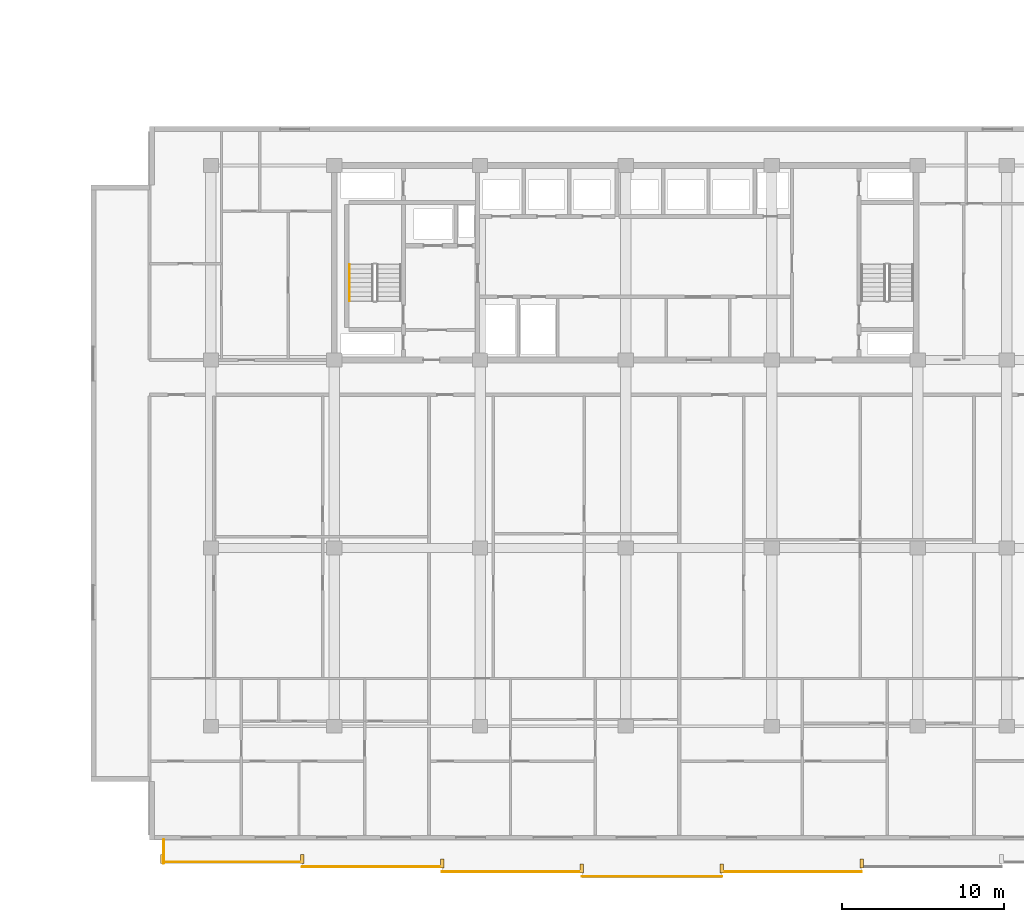
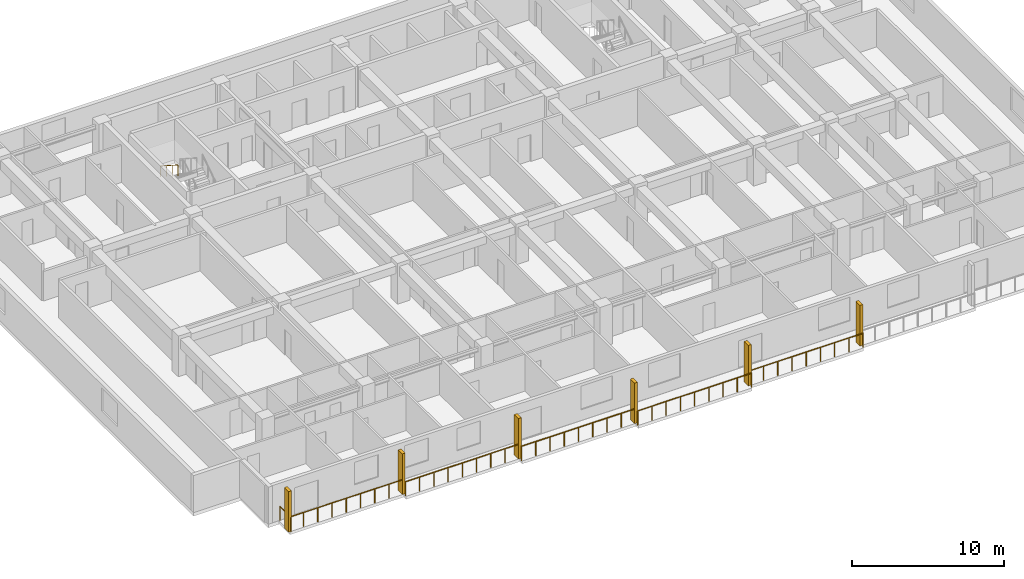
# One storey, part 20 of 24: 7 railings, 6 shading devices.
"""IFC4 building model written with IfcOpenShell, lengths in metres."""

from ifc_helpers import new_model, si_unit, direction, frame, origin, origin_2d, place, context, subcontext, project, spatial, rectangle, circle, extrude, material, type_object, element, save


model = new_model("IFC4")

# Units and contexts
model_context = context("Model", 3, precision=1e-05, world=origin(), true_north=direction((0.0, 1.0)))
body_context = subcontext(model_context, "Body", "Model", "MODEL_VIEW")
ifc_project = project(units=[si_unit("LENGTHUNIT", "METRE"), si_unit("AREAUNIT", "SQUARE_METRE"), si_unit("VOLUMEUNIT", "CUBIC_METRE"), si_unit("PLANEANGLEUNIT", "RADIAN"), si_unit("MASSUNIT", "GRAM", prefix="KILO")], contexts=[model_context])

# Site, building, storey
site_placement = place(None, origin())
site = spatial("IfcSite", under=ifc_project, at=site_placement, CompositionType="ELEMENT")
building_placement = place(site_placement, origin())
building = spatial("IfcBuilding", under=site, at=building_placement, Name="Korimba Cascade Residences", CompositionType="ELEMENT")
storey_placement = place(building_placement, frame((0.0, 0.0, 43.5)))
storey = spatial("IfcBuildingStorey", under=building, at=storey_placement, Name="L11", CompositionType="ELEMENT", Elevation=43.5)

# Railings
ifc_material_1 = material(Name="Laminated Glass and Bronze Balustrade", Category="glass")
railing_type_1 = type_object("IfcRailingType", Name="RLG-LOG-1150", PredefinedType="BALUSTRADE", material=ifc_material_1)
railing_1_placement = place(storey_placement, frame((71.5, -12.570068359375, 0.0)))
element("IfcRailing", 1, at=railing_1_placement, inside=storey, type_object=railing_type_1, Name="L11 Perimeter Guardrail RLG-L11-T2-LOG-01", PredefinedType="BALUSTRADE", context=body_context, shape_type="SweptSolid", body=[
    extrude(circle(Radius=0.02392578125, at=origin_2d()), frame((0.0, 0.0, 1.1259765625), z_axis=(1.0, 0.0, 0.0), x_axis=(0.0, 1.0, 0.0)), (0.0, 0.0, 1.0), 8.628662109375),
    extrude(circle(Radius=0.02099609375, at=origin_2d()), origin(), (0.0, 0.0, 1.0), 1.101806640625),
    extrude(circle(Radius=0.02099609375, at=origin_2d()), frame((1.07861328125, 0.0, 0.0)), (0.0, 0.0, 1.0), 1.101806640625),
    extrude(circle(Radius=0.02099609375, at=origin_2d()), frame((2.1572265625, 0.0, 0.0)), (0.0, 0.0, 1.0), 1.101806640625),
    extrude(circle(Radius=0.02099609375, at=origin_2d()), frame((3.23583984375, 0.0, 0.0)), (0.0, 0.0, 1.0), 1.101806640625),
    extrude(circle(Radius=0.02099609375, at=origin_2d()), frame((4.314453125, 0.0, 0.0)), (0.0, 0.0, 1.0), 1.101806640625),
    extrude(circle(Radius=0.02099609375, at=origin_2d()), frame((5.392822265625, 0.0, 0.0)), (0.0, 0.0, 1.0), 1.101806640625),
    extrude(circle(Radius=0.02099609375, at=origin_2d()), frame((6.471435546875, 0.0, 0.0)), (0.0, 0.0, 1.0), 1.101806640625),
    extrude(circle(Radius=0.02099609375, at=origin_2d()), frame((7.550048828125, 0.0, 0.0)), (0.0, 0.0, 1.0), 1.101806640625),
    extrude(circle(Radius=0.02099609375, at=origin_2d()), frame((8.628662109375, 0.0, 0.0)), (0.0, 0.0, 1.0), 1.101806640625),
])
railing_2_placement = place(storey_placement, frame((80.128662109375, -12.8701171875, 0.0)))
element("IfcRailing", 2, at=railing_2_placement, inside=storey, type_object=railing_type_1, Name="L11 Perimeter Guardrail RLG-L11-T2-LOG-02", PredefinedType="BALUSTRADE", context=body_context, shape_type="SweptSolid", body=[
    extrude(circle(Radius=0.02392578125, at=origin_2d()), frame((0.0, 0.0, 1.1259765625), z_axis=(1.0, 0.0, 0.0), x_axis=(0.0, 1.0, 0.0)), (0.0, 0.0, 1.0), 8.62841796875),
    extrude(circle(Radius=0.02099609375, at=origin_2d()), origin(), (0.0, 0.0, 1.0), 1.101806640625),
    extrude(circle(Radius=0.02099609375, at=origin_2d()), frame((1.07861328125, 0.0, 0.0)), (0.0, 0.0, 1.0), 1.101806640625),
    extrude(circle(Radius=0.02099609375, at=origin_2d()), frame((2.1572265625, 0.0, 0.0)), (0.0, 0.0, 1.0), 1.101806640625),
    extrude(circle(Radius=0.02099609375, at=origin_2d()), frame((3.235595703125, 0.0, 0.0)), (0.0, 0.0, 1.0), 1.101806640625),
    extrude(circle(Radius=0.02099609375, at=origin_2d()), frame((4.314208984375, 0.0, 0.0)), (0.0, 0.0, 1.0), 1.101806640625),
    extrude(circle(Radius=0.02099609375, at=origin_2d()), frame((5.392822265625, 0.0, 0.0)), (0.0, 0.0, 1.0), 1.101806640625),
    extrude(circle(Radius=0.02099609375, at=origin_2d()), frame((6.47119140625, 0.0, 0.0)), (0.0, 0.0, 1.0), 1.101806640625),
    extrude(circle(Radius=0.02099609375, at=origin_2d()), frame((7.5498046875, 0.0, 0.0)), (0.0, 0.0, 1.0), 1.101806640625),
    extrude(circle(Radius=0.02099609375, at=origin_2d()), frame((8.62841796875, 0.0, 0.0)), (0.0, 0.0, 1.0), 1.101806640625),
])
for number, where, name in (
    (3, (88.757080078125, -13.169921875, 0.0), "L11 Perimeter Guardrail RLG-L11-T2-LOG-03"),
    (4, (97.3857421875, -13.469970703125, 0.0), "L11 Perimeter Guardrail RLG-L11-T2-LOG-04"),
):
    element("IfcRailing", number, at=place(storey_placement, frame(where)), inside=storey, type_object=railing_type_1, Name=name, PredefinedType="BALUSTRADE", context=body_context, shape_type="SweptSolid", body=[
        extrude(circle(Radius=0.02392578125, at=origin_2d()), frame((0.0, 0.0, 1.1259765625), z_axis=(1.0, 0.0, 0.0), x_axis=(0.0, 1.0, 0.0)), (0.0, 0.0, 1.0), 8.628662109375),
        extrude(circle(Radius=0.02099609375, at=origin_2d()), origin(), (0.0, 0.0, 1.0), 1.101806640625),
        extrude(circle(Radius=0.02099609375, at=origin_2d()), frame((1.07861328125, 0.0, 0.0)), (0.0, 0.0, 1.0), 1.101806640625),
        extrude(circle(Radius=0.02099609375, at=origin_2d()), frame((2.1572265625, 0.0, 0.0)), (0.0, 0.0, 1.0), 1.101806640625),
        extrude(circle(Radius=0.02099609375, at=origin_2d()), frame((3.23583984375, 0.0, 0.0)), (0.0, 0.0, 1.0), 1.101806640625),
        extrude(circle(Radius=0.02099609375, at=origin_2d()), frame((4.314453125, 0.0, 0.0)), (0.0, 0.0, 1.0), 1.101806640625),
        extrude(circle(Radius=0.02099609375, at=origin_2d()), frame((5.392822265625, 0.0, 0.0)), (0.0, 0.0, 1.0), 1.101806640625),
        extrude(circle(Radius=0.02099609375, at=origin_2d()), frame((6.471435546875, 0.0, 0.0)), (0.0, 0.0, 1.0), 1.101806640625),
        extrude(circle(Radius=0.02099609375, at=origin_2d()), frame((7.550048828125, 0.0, 0.0)), (0.0, 0.0, 1.0), 1.101806640625),
        extrude(circle(Radius=0.02099609375, at=origin_2d()), frame((8.628662109375, 0.0, 0.0)), (0.0, 0.0, 1.0), 1.101806640625),
    ])
railing_3_placement = place(storey_placement, frame((106.014404296875, -13.169921875, 0.0)))
element("IfcRailing", 5, at=railing_3_placement, inside=storey, type_object=railing_type_1, Name="L11 Perimeter Guardrail RLG-L11-T2-LOG-05", PredefinedType="BALUSTRADE", context=body_context, shape_type="SweptSolid", body=[
    extrude(circle(Radius=0.02392578125, at=origin_2d()), frame((0.0, 0.0, 1.1259765625), z_axis=(1.0, 0.0, 0.0), x_axis=(0.0, 1.0, 0.0)), (0.0, 0.0, 1.0), 8.62841796875),
    extrude(circle(Radius=0.02099609375, at=origin_2d()), origin(), (0.0, 0.0, 1.0), 1.101806640625),
    extrude(circle(Radius=0.02099609375, at=origin_2d()), frame((1.07861328125, 0.0, 0.0)), (0.0, 0.0, 1.0), 1.101806640625),
    extrude(circle(Radius=0.02099609375, at=origin_2d()), frame((2.1572265625, 0.0, 0.0)), (0.0, 0.0, 1.0), 1.101806640625),
    extrude(circle(Radius=0.02099609375, at=origin_2d()), frame((3.235595703125, 0.0, 0.0)), (0.0, 0.0, 1.0), 1.101806640625),
    extrude(circle(Radius=0.02099609375, at=origin_2d()), frame((4.314208984375, 0.0, 0.0)), (0.0, 0.0, 1.0), 1.101806640625),
    extrude(circle(Radius=0.02099609375, at=origin_2d()), frame((5.392822265625, 0.0, 0.0)), (0.0, 0.0, 1.0), 1.101806640625),
    extrude(circle(Radius=0.02099609375, at=origin_2d()), frame((6.47119140625, 0.0, 0.0)), (0.0, 0.0, 1.0), 1.101806640625),
    extrude(circle(Radius=0.02099609375, at=origin_2d()), frame((7.5498046875, 0.0, 0.0)), (0.0, 0.0, 1.0), 1.101806640625),
    extrude(circle(Radius=0.02099609375, at=origin_2d()), frame((8.62841796875, 0.0, 0.0)), (0.0, 0.0, 1.0), 1.101806640625),
])
railing_4_placement = place(storey_placement, frame((71.580078125, -11.199951171875, 0.0)))
element("IfcRailing", 6, at=railing_4_placement, inside=storey, type_object=railing_type_1, Name="L11 Perimeter Guardrail RLG-L11-T2-LOG-09", PredefinedType="BALUSTRADE", context=body_context, shape_type="SweptSolid", body=[
    extrude(circle(Radius=0.02392578125, at=origin_2d()), frame((0.0, 0.0, 1.1259765625), z_axis=(0.0, -1.0, 0.0), x_axis=(1.0, 0.0, 0.0)), (0.0, 0.0, 1.0), 1.449951171875),
    extrude(circle(Radius=0.02099609375, at=origin_2d()), origin(), (0.0, 0.0, 1.0), 1.101806640625),
    extrude(circle(Radius=0.02099609375, at=origin_2d()), frame((0.0, -0.72509765625, 0.0)), (0.0, 0.0, 1.0), 1.101806640625),
    extrude(circle(Radius=0.02099609375, at=origin_2d()), frame((0.0, -1.449951171875, 0.0)), (0.0, 0.0, 1.0), 1.101806640625),
])
ifc_material_2 = material(Name="Brushed Stainless Steel Handrail", Category="steel")
railing_type_2 = type_object("IfcRailingType", Name="RLG-ST-HR900", PredefinedType="HANDRAIL", material=ifc_material_2)
railing_5_placement = place(storey_placement, frame((83.050048828125, 24.2900390625, 1.989990234375)))
element("IfcRailing", 7, at=railing_5_placement, inside=storey, type_object=railing_type_2, Name="L11 ST-E1 stair handrail 2", PredefinedType="HANDRAIL", context=body_context, shape_type="SweptSolid", body=[
    extrude(circle(Radius=0.02392578125, at=origin_2d()), frame((0.0, 0.0, 0.8759765625), z_axis=(0.0, -0.840436612492, 0.541909863706), x_axis=(1.0, 0.0, 0.0)), (0.0, 0.0, 1.0), 2.665283203125),
    extrude(circle(Radius=0.02099609375, at=origin_2d()), origin(), (0.0, 0.0, 1.0), 0.851806640625),
    extrude(circle(Radius=0.02099609375, at=origin_2d()), frame((0.0, -0.74658203125, 0.4814453125)), (0.0, 0.0, 1.0), 0.851806640625),
    extrude(circle(Radius=0.02099609375, at=origin_2d()), frame((0.0, -1.493408203125, 0.962890625)), (0.0, 0.0, 1.0), 0.851806640625),
    extrude(circle(Radius=0.02099609375, at=origin_2d()), frame((0.0, -2.239990234375, 1.4443359375)), (0.0, 0.0, 1.0), 0.851806640625),
])

# Shading devices
ifc_material_3 = material(Name="Honed Sandstone Precast Fin", Category="masonry")
shading_device_type = type_object("IfcShadingDeviceType", Name="SHD-FIN-550", PredefinedType="USERDEFINED", material=ifc_material_3)
for number, where, z_axis, x_axis, name in (
    (8, (71.5, -12.375, 0.0), (0.0, 0.0, 1.0), (1.0, 0.0, 0.0), "L11 T2 Warm-Stone Loggia Fin 1"),
    (9, (80.128662109375, -12.375, 0.0), (0.0, 0.0, 1.0), (1.0, 0.0, 0.0), "L11 T2 Warm-Stone Loggia Fin 2"),
    (10, (88.757080078125, -12.675048828125, 0.0), (0.0, 0.0, 1.0), (1.0, 0.0, 0.0), "L11 T2 Warm-Stone Loggia Fin 3"),
    (11, (97.3857421875, -12.97509765625, 0.0), (0.0, 0.0, 1.0), (1.0, 0.0, 0.0), "L11 T2 Warm-Stone Loggia Fin 4"),
    (12, (106.014404296875, -12.97509765625, 0.0), (0.0, 0.0, 1.0), (1.0, 0.0, 0.0), "L11 T2 Warm-Stone Loggia Fin 5"),
    (13, (114.642822265625, -12.675048828125, 0.0), (0.0, 0.0, 1.0), (1.0, 0.0, 0.0), "L11 T2 Warm-Stone Loggia Fin 6"),
):
    element("IfcShadingDevice", number, at=place(storey_placement, frame(where, z_axis=z_axis, x_axis=x_axis)), inside=storey, type_object=shading_device_type, Name=name, ObjectType="FIN", PredefinedType="USERDEFINED", context=body_context, shape_type="SweptSolid", body=[
        extrude(rectangle(XDim=0.219970703125, YDim=0.550048828125, at=origin_2d()), origin(), (0.0, 0.0, 1.0), 3.25),
    ])

save(model, "model.ifc")
